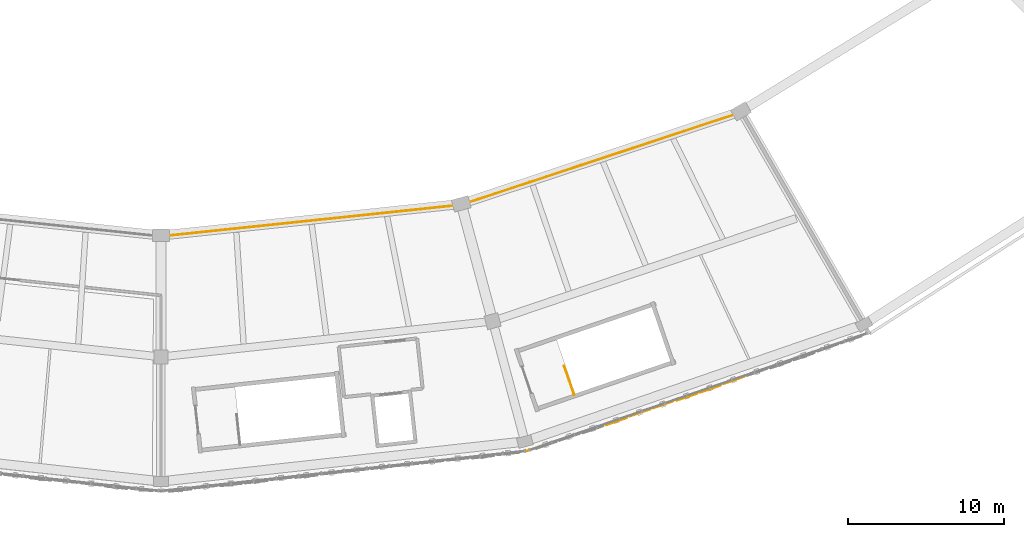
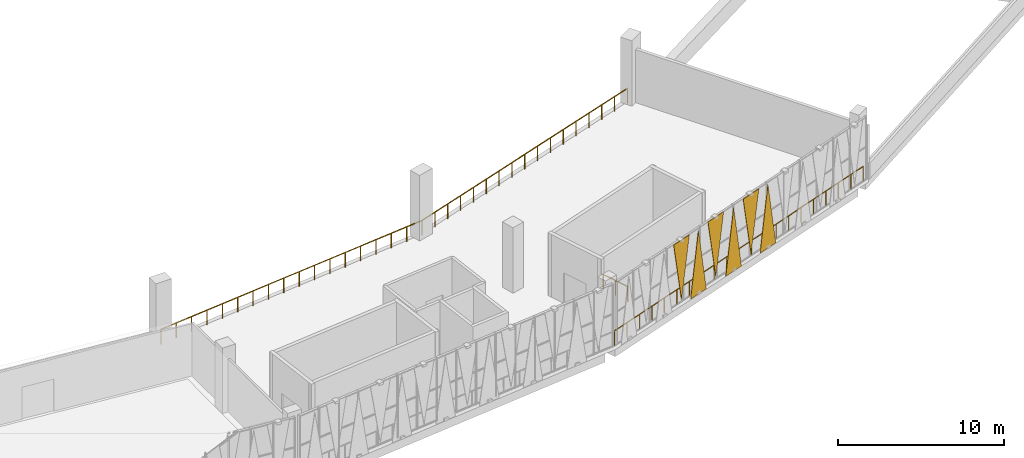
# One storey, part 57 of 64: 6 coverings, 4 railings.
"""IFC4 building model written with IfcOpenShell, lengths in metres."""

from ifc_helpers import new_model, si_unit, direction, frame, origin, origin_2d, place, context, subcontext, project, spatial, polyline, circle, outline, extrude, material, layer, layer_set, type_object, element, save


model = new_model("IFC4")

# Units and contexts
model_context = context("Model", 3, precision=1e-05, world=origin(), true_north=direction((0.0, 1.0)))
body_context = subcontext(model_context, "Body", "Model", "MODEL_VIEW")
ifc_project = project(units=[si_unit("LENGTHUNIT", "METRE"), si_unit("AREAUNIT", "SQUARE_METRE"), si_unit("VOLUMEUNIT", "CUBIC_METRE"), si_unit("PLANEANGLEUNIT", "RADIAN"), si_unit("MASSUNIT", "GRAM", prefix="KILO")], contexts=[model_context])

# Site, building, storey
site_placement = place(None, origin())
site = spatial("IfcSite", under=ifc_project, at=site_placement, CompositionType="ELEMENT")
building_placement = place(site_placement, origin())
building = spatial("IfcBuilding", under=site, at=building_placement, Name="Zevraka Park Crest Stadium", CompositionType="ELEMENT")
storey_placement = place(building_placement, frame((0.0, 0.0, 24.60009765625)))
storey = spatial("IfcBuildingStorey", under=building, at=storey_placement, Name="L05", CompositionType="ELEMENT", Elevation=24.60009765625)

# Coverings
ifc_material_1 = material(Name="Architectural golden-bronze perforated aluminium", Category="aluminium")
ifc_layer = layer(ifc_material_1, 0.034912109375)
ifc_layer_set = layer_set([ifc_layer], Name="Architectural golden-bronze perforated aluminium")
covering_type = type_object("IfcCoveringType", Name="CLD01", PredefinedType="CLADDING", material=ifc_layer_set)
covering_1_placement = place(storey_placement, frame((141.929931640625, 20.7958984375, 4.599853515625), z_axis=(-0.327087166822, 0.944994157138, 0.000168152716), x_axis=(-0.944994170498, -0.327087171446, 0.0)))
element("IfcCovering", 1, at=covering_1_placement, inside=storey, type_object=covering_type, Name="Triangular Golden-Bronze Perforated Cladding L05-19-4", PredefinedType="CLADDING", context=body_context, shape_type="SweptSolid", body=[
    extrude(outline(polyline([(0.0, 0.0), (1.433850610989357, 0.0), (0.7171870902633259, -4.37988287442133), (0.0, 0.0)])), origin(), (0.0, 0.0, -1.0), 0.034912109375),
])
covering_2_placement = place(storey_placement, frame((142.0810546875, 20.847900390625, -0.22021484375), z_axis=(0.326876778468, -0.945066958674, 0.00012377763), x_axis=(0.945066965914, 0.326876780972, 0.0)))
element("IfcCovering", 2, at=covering_2_placement, inside=storey, type_object=covering_type, Name="Triangular Golden-Bronze Perforated Cladding L05-19-5", PredefinedType="CLADDING", context=body_context, shape_type="SweptSolid", body=[
    extrude(outline(polyline([(0.0, 0.0), (1.4347734924150557, -6.776263578034403e-21), (0.7175862559615392, 4.660156285698899), (0.0, 0.0)])), origin(), (0.0, 0.0, -1.0), 0.034912109375),
])
covering_3_placement = place(storey_placement, frame((144.944091796875, 21.839111328125, 4.599853515625), z_axis=(0.326824219868, -0.945085133456, 0.00014080964), x_axis=(-0.945085142826, -0.326824223109, 0.0)))
element("IfcCovering", 3, at=covering_3_placement, inside=storey, type_object=covering_type, Name="Triangular Golden-Bronze Perforated Cladding L05-19-6", PredefinedType="CLADDING", context=body_context, shape_type="SweptSolid", body=[
    extrude(outline(polyline([(0.0, 0.0), (1.4350042238738205, 0.0), (0.7175862227734235, 4.379882855920746), (0.0, 0.0)])), origin(), (0.0, 0.0, -1.0), 0.034912109375),
])
covering_4_placement = place(storey_placement, frame((145.094970703125, 21.89111328125, -0.22021484375), z_axis=(-0.326876778468, 0.945066958674, 0.00012377763), x_axis=(0.945066965914, 0.326876780972, 0.0)))
element("IfcCovering", 4, at=covering_4_placement, inside=storey, type_object=covering_type, Name="Triangular Golden-Bronze Perforated Cladding L05-19-7", PredefinedType="CLADDING", context=body_context, shape_type="SweptSolid", body=[
    extrude(outline(polyline([(0.0, 0.0), (1.4347734924150557, -6.776263578034403e-21), (0.7171872364535165, -4.660156285698899), (0.0, 0.0)])), origin(), (0.0, 0.0, -1.0), 0.034912109375),
])
covering_5_placement = place(storey_placement, frame((147.9580078125, 22.881103515625, 4.599853515625), z_axis=(-0.326876779952, 0.945066962963, 7.9018977e-05), x_axis=(-0.945066965914, -0.326876780972, 0.0)))
element("IfcCovering", 5, at=covering_5_placement, inside=storey, type_object=covering_type, Name="Triangular Golden-Bronze Perforated Cladding L05-19-8", PredefinedType="CLADDING", context=body_context, shape_type="SweptSolid", body=[
    extrude(outline(polyline([(0.0, 0.0), (1.4347734924150557, -6.776263578034403e-21), (0.717267040355121, -4.379882826173993), (0.0, 0.0)])), origin(), (0.0, 0.0, -1.0), 0.034912109375),
])
covering_6_placement = place(storey_placement, frame((148.10888671875, 22.93310546875, -0.22021484375), z_axis=(0.326824222403, -0.945085140785, 6.570702e-05), x_axis=(0.945085142826, 0.326824223109, 0.0)))
element("IfcCovering", 6, at=covering_6_placement, inside=storey, type_object=covering_type, Name="Triangular Golden-Bronze Perforated Cladding L05-19-9", PredefinedType="CLADDING", context=body_context, shape_type="SweptSolid", body=[
    extrude(outline(polyline([(0.0, 0.0), (1.4350042238738205, 0.0), (0.7177371653807764, 4.6601562600599085), (0.0, 0.0)])), origin(), (0.0, 0.0, -1.0), 0.034912109375),
])

# Railings
ifc_material_2 = material(Name="Galvanised and bronze-finished steel balustrade", Category="steel")
railing_type_1 = type_object("IfcRailingType", Name="GR01", PredefinedType="GUARDRAIL", material=ifc_material_2)
railing_1_placement = place(storey_placement, frame((111.99609375, 32.429931640625, 0.0)))
element("IfcRailing", 7, at=railing_1_placement, inside=storey, type_object=railing_type_1, Name="Deck Edge Protection Guardrail GR01 L05-11", PredefinedType="GUARDRAIL", context=body_context, shape_type="SweptSolid", body=[
    extrude(circle(Radius=0.02392578125, at=origin_2d()), frame((0.0, 0.0, 1.076171875), z_axis=(0.994522469257, 0.104523002937, 0.0), x_axis=(-0.104523002937, 0.994522469257, 0.0)), (0.0, 0.0, 1.0), 19.403076171875),
    extrude(circle(Radius=0.02099609375, at=origin_2d()), origin(), (0.0, 0.0, 1.0), 1.052001953125),
    extrude(circle(Radius=0.02099609375, at=origin_2d()), frame((1.135009765625, 0.119384765625, 0.0)), (0.0, 0.0, 1.0), 1.052001953125),
    extrude(circle(Radius=0.02099609375, at=origin_2d()), frame((2.270263671875, 0.238525390625, 0.0)), (0.0, 0.0, 1.0), 1.052001953125),
    extrude(circle(Radius=0.02099609375, at=origin_2d()), frame((3.4052734375, 0.35791015625, 0.0)), (0.0, 0.0, 1.0), 1.052001953125),
    extrude(circle(Radius=0.02099609375, at=origin_2d()), frame((4.54052734375, 0.477294921875, 0.0)), (0.0, 0.0, 1.0), 1.052001953125),
    extrude(circle(Radius=0.02099609375, at=origin_2d()), frame((5.675537109375, 0.596435546875, 0.0)), (0.0, 0.0, 1.0), 1.052001953125),
    extrude(circle(Radius=0.02099609375, at=origin_2d()), frame((6.810546875, 0.7158203125, 0.0)), (0.0, 0.0, 1.0), 1.052001953125),
    extrude(circle(Radius=0.02099609375, at=origin_2d()), frame((7.94580078125, 0.835205078125, 0.0)), (0.0, 0.0, 1.0), 1.052001953125),
    extrude(circle(Radius=0.02099609375, at=origin_2d()), frame((9.080810546875, 0.954345703125, 0.0)), (0.0, 0.0, 1.0), 1.052001953125),
    extrude(circle(Radius=0.02099609375, at=origin_2d()), frame((10.216064453125, 1.07373046875, 0.0)), (0.0, 0.0, 1.0), 1.052001953125),
    extrude(circle(Radius=0.02099609375, at=origin_2d()), frame((11.35107421875, 1.19287109375, 0.0)), (0.0, 0.0, 1.0), 1.052001953125),
    extrude(circle(Radius=0.02099609375, at=origin_2d()), frame((12.486328125, 1.312255859375, 0.0)), (0.0, 0.0, 1.0), 1.052001953125),
    extrude(circle(Radius=0.02099609375, at=origin_2d()), frame((13.621337890625, 1.431640625, 0.0)), (0.0, 0.0, 1.0), 1.052001953125),
    extrude(circle(Radius=0.02099609375, at=origin_2d()), frame((14.75634765625, 1.55078125, 0.0)), (0.0, 0.0, 1.0), 1.052001953125),
    extrude(circle(Radius=0.02099609375, at=origin_2d()), frame((15.8916015625, 1.670166015625, 0.0)), (0.0, 0.0, 1.0), 1.052001953125),
    extrude(circle(Radius=0.02099609375, at=origin_2d()), frame((17.026611328125, 1.78955078125, 0.0)), (0.0, 0.0, 1.0), 1.052001953125),
    extrude(circle(Radius=0.02099609375, at=origin_2d()), frame((18.161865234375, 1.90869140625, 0.0)), (0.0, 0.0, 1.0), 1.052001953125),
    extrude(circle(Radius=0.02099609375, at=origin_2d()), frame((19.296875, 2.028076171875, 0.0)), (0.0, 0.0, 1.0), 1.052001953125),
])
railing_2_placement = place(storey_placement, frame((131.29296875, 34.4580078125, 0.0)))
element("IfcRailing", 8, at=railing_2_placement, inside=storey, type_object=railing_type_1, Name="Deck Edge Protection Guardrail GR01 L05-12", PredefinedType="GUARDRAIL", context=body_context, shape_type="SweptSolid", body=[
    extrude(circle(Radius=0.02392578125, at=origin_2d()), frame((0.0, 0.0, 1.076171875), z_axis=(0.949420228178, 0.314008328436, 0.0), x_axis=(-0.314008328436, 0.949420228178, 0.0)), (0.0, 0.0, 1.0), 18.553466796875),
    extrude(circle(Radius=0.02099609375, at=origin_2d()), origin(), (0.0, 0.0, 1.0), 1.052001953125),
    extrude(circle(Radius=0.02099609375, at=origin_2d()), frame((1.100830078125, 0.364013671875, 0.0)), (0.0, 0.0, 1.0), 1.052001953125),
    extrude(circle(Radius=0.02099609375, at=origin_2d()), frame((2.201904296875, 0.728271484375, 0.0)), (0.0, 0.0, 1.0), 1.052001953125),
    extrude(circle(Radius=0.02099609375, at=origin_2d()), frame((3.302734375, 1.09228515625, 0.0)), (0.0, 0.0, 1.0), 1.052001953125),
    extrude(circle(Radius=0.02099609375, at=origin_2d()), frame((4.40380859375, 1.45654296875, 0.0)), (0.0, 0.0, 1.0), 1.052001953125),
    extrude(circle(Radius=0.02099609375, at=origin_2d()), frame((5.504638671875, 1.820556640625, 0.0)), (0.0, 0.0, 1.0), 1.052001953125),
    extrude(circle(Radius=0.02099609375, at=origin_2d()), frame((6.605712890625, 2.184814453125, 0.0)), (0.0, 0.0, 1.0), 1.052001953125),
    extrude(circle(Radius=0.02099609375, at=origin_2d()), frame((7.70654296875, 2.548828125, 0.0)), (0.0, 0.0, 1.0), 1.052001953125),
    extrude(circle(Radius=0.02099609375, at=origin_2d()), frame((8.8076171875, 2.9130859375, 0.0)), (0.0, 0.0, 1.0), 1.052001953125),
    extrude(circle(Radius=0.02099609375, at=origin_2d()), frame((9.908447265625, 3.277099609375, 0.0)), (0.0, 0.0, 1.0), 1.052001953125),
    extrude(circle(Radius=0.02099609375, at=origin_2d()), frame((11.00927734375, 3.64111328125, 0.0)), (0.0, 0.0, 1.0), 1.052001953125),
    extrude(circle(Radius=0.02099609375, at=origin_2d()), frame((12.1103515625, 4.00537109375, 0.0)), (0.0, 0.0, 1.0), 1.052001953125),
    extrude(circle(Radius=0.02099609375, at=origin_2d()), frame((13.211181640625, 4.369384765625, 0.0)), (0.0, 0.0, 1.0), 1.052001953125),
    extrude(circle(Radius=0.02099609375, at=origin_2d()), frame((14.312255859375, 4.733642578125, 0.0)), (0.0, 0.0, 1.0), 1.052001953125),
    extrude(circle(Radius=0.02099609375, at=origin_2d()), frame((15.4130859375, 5.09765625, 0.0)), (0.0, 0.0, 1.0), 1.052001953125),
    extrude(circle(Radius=0.02099609375, at=origin_2d()), frame((16.51416015625, 5.4619140625, 0.0)), (0.0, 0.0, 1.0), 1.052001953125),
    extrude(circle(Radius=0.02099609375, at=origin_2d()), frame((17.614990234375, 5.825927734375, 0.0)), (0.0, 0.0, 1.0), 1.052001953125),
])
railing_3_placement = place(storey_placement, frame((157.089111328125, 26.114013671875, 0.0)))
element("IfcRailing", 9, at=railing_3_placement, inside=storey, type_object=railing_type_1, Name="Deck Edge Protection Guardrail GR01 L05-13", PredefinedType="GUARDRAIL", context=body_context, shape_type="SweptSolid", body=[
    extrude(circle(Radius=0.02392578125, at=origin_2d()), frame((0.0, 0.0, 1.076171875), z_axis=(-0.945052369108, -0.326918980244, 0.0), x_axis=(0.326918980244, -0.945052369108, 0.0)), (0.0, 0.0, 1.0), 22.803955078125),
    extrude(circle(Radius=0.02099609375, at=origin_2d()), origin(), (0.0, 0.0, 1.0), 1.052001953125),
    extrude(circle(Radius=0.02099609375, at=origin_2d()), frame((-1.07763671875, -0.372802734375, 0.0)), (0.0, 0.0, 1.0), 1.052001953125),
    extrude(circle(Radius=0.02099609375, at=origin_2d()), frame((-2.155029296875, -0.74560546875, 0.0)), (0.0, 0.0, 1.0), 1.052001953125),
    extrude(circle(Radius=0.02099609375, at=origin_2d()), frame((-3.232666015625, -1.1181640625, 0.0)), (0.0, 0.0, 1.0), 1.052001953125),
    extrude(circle(Radius=0.02099609375, at=origin_2d()), frame((-4.310302734375, -1.490966796875, 0.0)), (0.0, 0.0, 1.0), 1.052001953125),
    extrude(circle(Radius=0.02099609375, at=origin_2d()), frame((-5.3876953125, -1.86376953125, 0.0)), (0.0, 0.0, 1.0), 1.052001953125),
    extrude(circle(Radius=0.02099609375, at=origin_2d()), frame((-6.46533203125, -2.236572265625, 0.0)), (0.0, 0.0, 1.0), 1.052001953125),
    extrude(circle(Radius=0.02099609375, at=origin_2d()), frame((-7.54296875, -2.609375, 0.0)), (0.0, 0.0, 1.0), 1.052001953125),
    extrude(circle(Radius=0.02099609375, at=origin_2d()), frame((-8.620361328125, -2.98193359375, 0.0)), (0.0, 0.0, 1.0), 1.052001953125),
    extrude(circle(Radius=0.02099609375, at=origin_2d()), frame((-9.697998046875, -3.354736328125, 0.0)), (0.0, 0.0, 1.0), 1.052001953125),
    extrude(circle(Radius=0.02099609375, at=origin_2d()), frame((-10.775390625, -3.7275390625, 0.0)), (0.0, 0.0, 1.0), 1.052001953125),
    extrude(circle(Radius=0.02099609375, at=origin_2d()), frame((-11.85302734375, -4.100341796875, 0.0)), (0.0, 0.0, 1.0), 1.052001953125),
    extrude(circle(Radius=0.02099609375, at=origin_2d()), frame((-12.9306640625, -4.47314453125, 0.0)), (0.0, 0.0, 1.0), 1.052001953125),
    extrude(circle(Radius=0.02099609375, at=origin_2d()), frame((-14.008056640625, -4.845703125, 0.0)), (0.0, 0.0, 1.0), 1.052001953125),
    extrude(circle(Radius=0.02099609375, at=origin_2d()), frame((-15.085693359375, -5.218505859375, 0.0)), (0.0, 0.0, 1.0), 1.052001953125),
    extrude(circle(Radius=0.02099609375, at=origin_2d()), frame((-16.163330078125, -5.59130859375, 0.0)), (0.0, 0.0, 1.0), 1.052001953125),
    extrude(circle(Radius=0.02099609375, at=origin_2d()), frame((-17.24072265625, -5.964111328125, 0.0)), (0.0, 0.0, 1.0), 1.052001953125),
    extrude(circle(Radius=0.02099609375, at=origin_2d()), frame((-18.318359375, -6.3369140625, 0.0)), (0.0, 0.0, 1.0), 1.052001953125),
    extrude(circle(Radius=0.02099609375, at=origin_2d()), frame((-19.39599609375, -6.70947265625, 0.0)), (0.0, 0.0, 1.0), 1.052001953125),
    extrude(circle(Radius=0.02099609375, at=origin_2d()), frame((-20.473388671875, -7.082275390625, 0.0)), (0.0, 0.0, 1.0), 1.052001953125),
    extrude(circle(Radius=0.02099609375, at=origin_2d()), frame((-21.551025390625, -7.455078125, 0.0)), (0.0, 0.0, 1.0), 1.052001953125),
])
ifc_material_3 = material(Name="Powder-coated tubular steel stairwell guard", Category="steel")
railing_type_2 = type_object("IfcRailingType", Name="GR03", PredefinedType="GUARDRAIL", material=ifc_material_3)
railing_4_placement = place(storey_placement, frame((138.535888671875, 22.2646484375, 0.0)))
element("IfcRailing", 10, at=railing_4_placement, inside=storey, type_object=railing_type_2, Name="L05 ST20 top well guard 1", PredefinedType="GUARDRAIL", context=body_context, shape_type="SweptSolid", body=[
    extrude(circle(Radius=0.02392578125, at=origin_2d()), frame((0.0, 0.0, 1.076171875), z_axis=(-0.323951744143, 0.946073605734, 0.0), x_axis=(-0.946073605734, -0.323951744143, 0.0)), (0.0, 0.0, 1.0), 1.960205078125),
    extrude(circle(Radius=0.02099609375, at=origin_2d()), origin(), (0.0, 0.0, 1.0), 1.052001953125),
    extrude(circle(Radius=0.02099609375, at=origin_2d()), frame((-0.3173828125, 0.92724609375, 0.0)), (0.0, 0.0, 1.0), 1.052001953125),
    extrude(circle(Radius=0.02099609375, at=origin_2d()), frame((-0.635009765625, 1.8544921875, 0.0)), (0.0, 0.0, 1.0), 1.052001953125),
])

save(model, "model.ifc")
